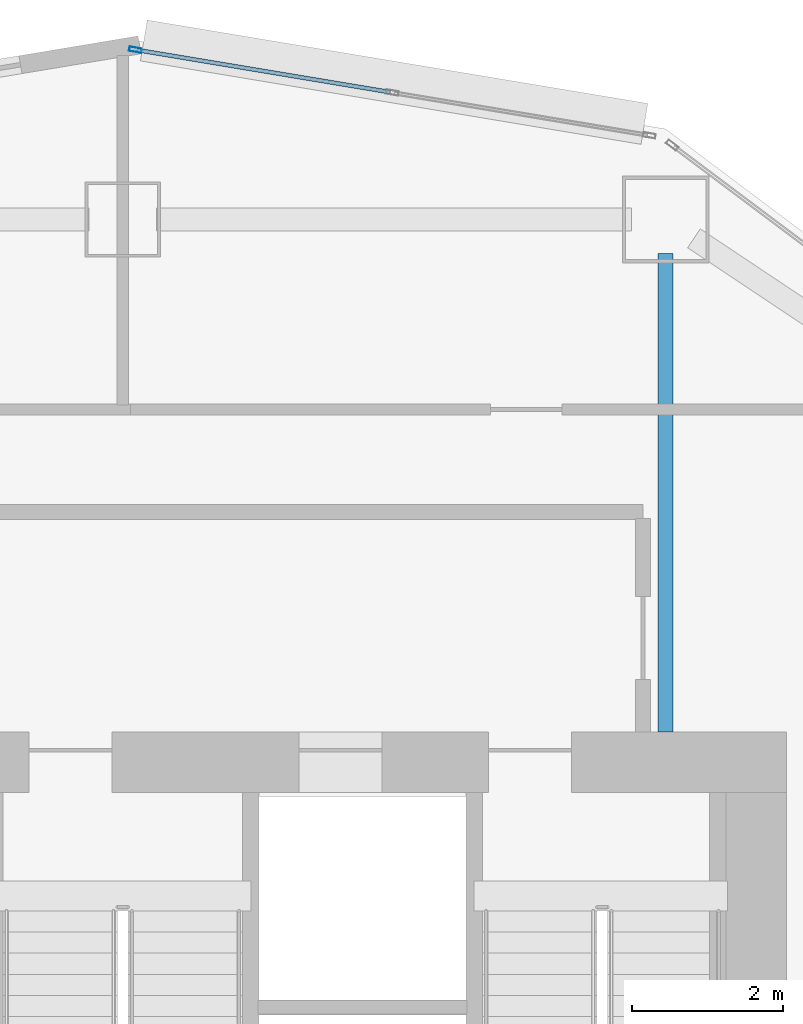
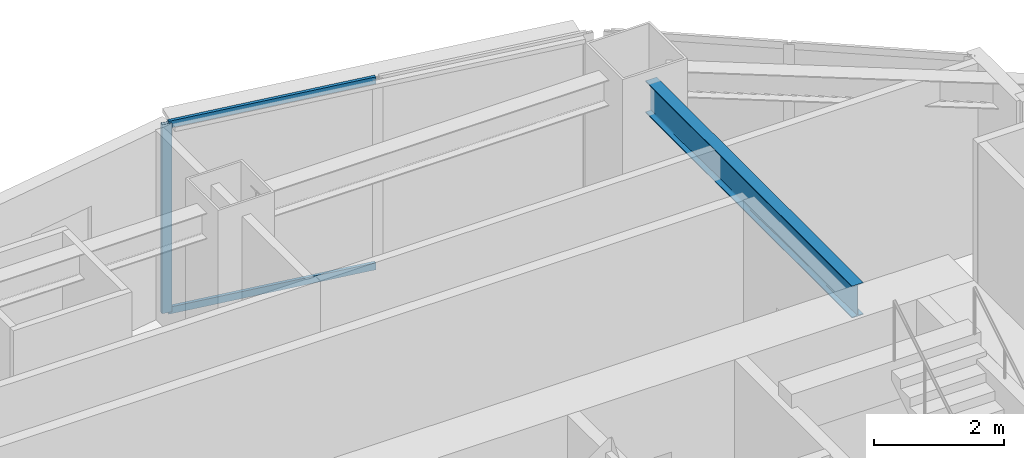
# One storey, part 2 of 16: 3 members, 1 beam, 1 element without a shape of its own.
"""IFC4 building model written with IfcOpenShell, lengths in metres."""

from ifc_helpers import new_model, si_unit, direction, frame, origin, origin_2d, place, context, subcontext, project, spatial, hollow_rectangle, i_section, extrude, material, layer, layer_set, material_profile, profile_set, type_object, element, aggregate, save


model = new_model("IFC4")

# Units and contexts
model_context = context("Model", 3, precision=1e-05, world=origin(), true_north=direction((0.0, 1.0)))
body_context = subcontext(model_context, "Body", "Model", "MODEL_VIEW")
ifc_project = project(units=[si_unit("LENGTHUNIT", "METRE"), si_unit("AREAUNIT", "SQUARE_METRE"), si_unit("VOLUMEUNIT", "CUBIC_METRE"), si_unit("PLANEANGLEUNIT", "RADIAN"), si_unit("MASSUNIT", "GRAM", prefix="KILO")], contexts=[model_context])

# Site, building, storey
site_placement = place(None, origin())
site = spatial("IfcSite", under=ifc_project, at=site_placement, CompositionType="ELEMENT")
building_placement = place(site_placement, origin())
building = spatial("IfcBuilding", under=site, at=building_placement, Name="Haolan Belvedere Tower", CompositionType="ELEMENT")
storey_placement = place(building_placement, frame((0.0, 0.0, 85.60009765625)))
storey = spatial("IfcBuildingStorey", under=building, at=storey_placement, Name="L21", CompositionType="ELEMENT", Elevation=85.60009765625)

# Beam
ifc_material_1 = material(Name="Steel Q355B", Category="steel")
ifc_material_profile_1 = material_profile(ifc_material_1, i_section(OverallWidth=0.199951171875, OverallDepth=0.60009765625, WebThickness=0.010986328125, FlangeThickness=0.01708984375, FilletRadius=0.02197265625, at=origin_2d()), Name="Steel Q355B")
ifc_profile_set_1 = profile_set([ifc_material_profile_1], Name="Steel Q355B")
beam_type = type_object("IfcBeamType", Name="BM-HN600x200x11x17", PredefinedType="BEAM", material=ifc_profile_set_1)
beam_placement = place(storey_placement, frame((45.60009765625, 49.949951171875, 3.239990234375), z_axis=(0.0, -1.0, 0.0), x_axis=(1.0, 0.0, 0.0)))
element("IfcBeam", 1, at=beam_placement, inside=storey, type_object=beam_type, Name="L21 core tie beam from MC-T3-N2", PredefinedType="BEAM", context=body_context, shape_type="SweptSolid", body=[
    extrude(i_section(OverallWidth=0.199951171875, OverallDepth=0.60009765625, WebThickness=0.010986328125, FlangeThickness=0.01708984375, FilletRadius=0.02197265625, at=origin_2d()), origin(), (0.0, 0.0, 1.0), 6.349853515625),
])

# Curtain wall, members
ifc_material_2 = material(Name="Anodised champagne-silver aluminium 6063-T6 and Low-E glass", Category="aluminium")
ifc_layer = layer(ifc_material_2, 0.1650390625, Name="Anodised champagne-silver aluminium 6063-T6 and Low-E glass")
ifc_layer_set = layer_set([ifc_layer], Name="Anodised champagne-silver aluminium 6063-T6 and Low-E glass")
curtain_wall_type = type_object("IfcCurtainWallType", Name="CW-SYS-02", PredefinedType="NOTDEFINED", material=ifc_layer_set)
curtain_wall_placement = place(storey_placement, origin())
curtain_wall = element("IfcCurtainWall", 2, at=curtain_wall_placement, inside=storey, type_object=curtain_wall_type, Name="L21 CW-SYS-02 ribbon curtain wall 42.1", PredefinedType="NOTDEFINED")
ifc_material_3 = material(Name="Anodised aluminium 6063-T6", Category="aluminium")
ifc_material_profile_2 = material_profile(ifc_material_3, hollow_rectangle(XDim=0.06005859375, YDim=0.1650390625, WallThickness=0.00390625, at=origin_2d()), Name="Anodised aluminium 6063-T6")
ifc_profile_set_2 = profile_set([ifc_material_profile_2], Name="Anodised aluminium 6063-T6")
member_type_1 = type_object("IfcMemberType", Name="CW-SYS-02-MUL", PredefinedType="MULLION", material=ifc_profile_set_2)
member_1_placement = place(storey_placement, frame((38.567626953125, 52.650390625, 0.0), z_axis=(0.0, 0.0, 1.0), x_axis=(-0.16440364043, -0.9863931483, 0.0)))
member_1 = element("IfcMember", 3, at=member_1_placement, type_object=member_type_1, Name="CW-02 mullion 3", PredefinedType="MULLION", context=body_context, shape_type="SweptSolid", body=[
    extrude(hollow_rectangle(XDim=0.06005859375, YDim=0.1650390625, WallThickness=0.00390625, at=origin_2d()), origin(), (0.0, 0.0, 1.0), 3.539794921875),
])
ifc_material_profile_3 = material_profile(ifc_material_3, hollow_rectangle(XDim=0.054931640625, YDim=0.1298828125, WallThickness=0.00390625, at=origin_2d()), Name="Anodised aluminium 6063-T6")
ifc_profile_set_3 = profile_set([ifc_material_profile_3], Name="Anodised aluminium 6063-T6")
member_type_2 = type_object("IfcMemberType", Name="CW-SYS-02-TRN", PredefinedType="USERDEFINED", material=ifc_profile_set_3)
member_2_placement = place(storey_placement, frame((41.946044921875, 52.08740234375, 0.02734375), z_axis=(-0.986395867289, 0.164387326137, 0.0), x_axis=(-0.164387326137, -0.986395867289, 0.0)))
member_2 = element("IfcMember", 4, at=member_2_placement, type_object=member_type_2, Name="CW-02 transom 2.1", ObjectType="TRANSOM", PredefinedType="USERDEFINED", context=body_context, shape_type="SweptSolid", body=[
    extrude(hollow_rectangle(XDim=0.054931640625, YDim=0.1298828125, WallThickness=0.00390625, at=origin_2d()), origin(), (0.0, 0.0, 1.0), 3.39501953125),
])
member_3_placement = place(storey_placement, frame((41.946044921875, 52.08740234375, 3.512451171875), z_axis=(-0.986395867289, 0.164387326137, 0.0), x_axis=(-0.164387326137, -0.986395867289, 0.0)))
member_3 = element("IfcMember", 5, at=member_3_placement, type_object=member_type_2, Name="CW-02 transom 2.2", ObjectType="TRANSOM", PredefinedType="USERDEFINED", context=body_context, shape_type="SweptSolid", body=[
    extrude(hollow_rectangle(XDim=0.054931640625, YDim=0.1298828125, WallThickness=0.00390625, at=origin_2d()), origin(), (0.0, 0.0, 1.0), 3.39501953125),
])
aggregate(curtain_wall, [member_1, member_2, member_3])

save(model, "model.ifc")
